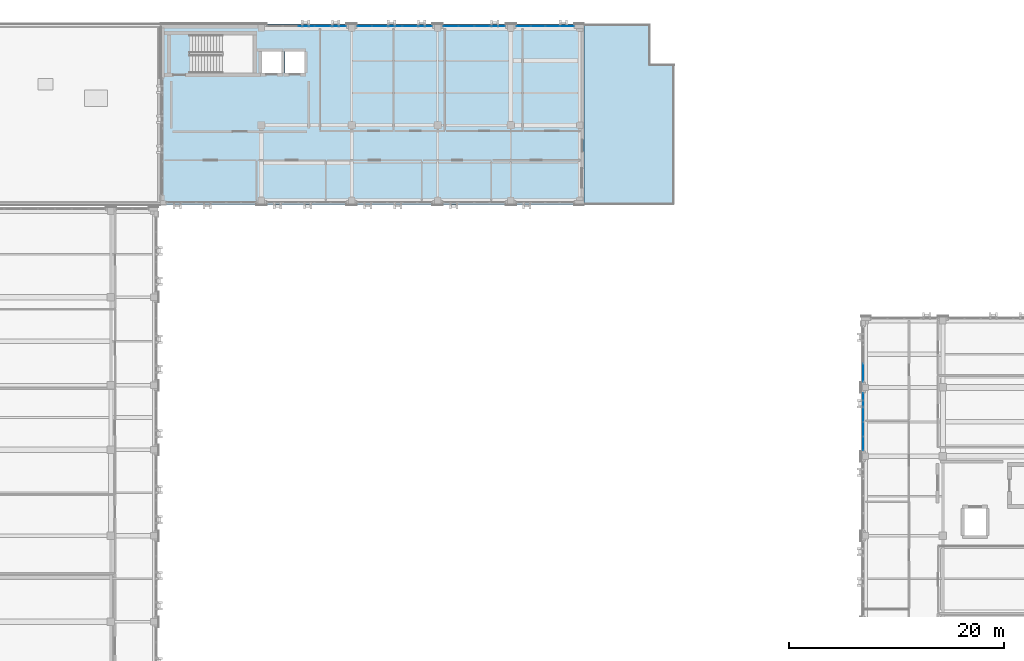
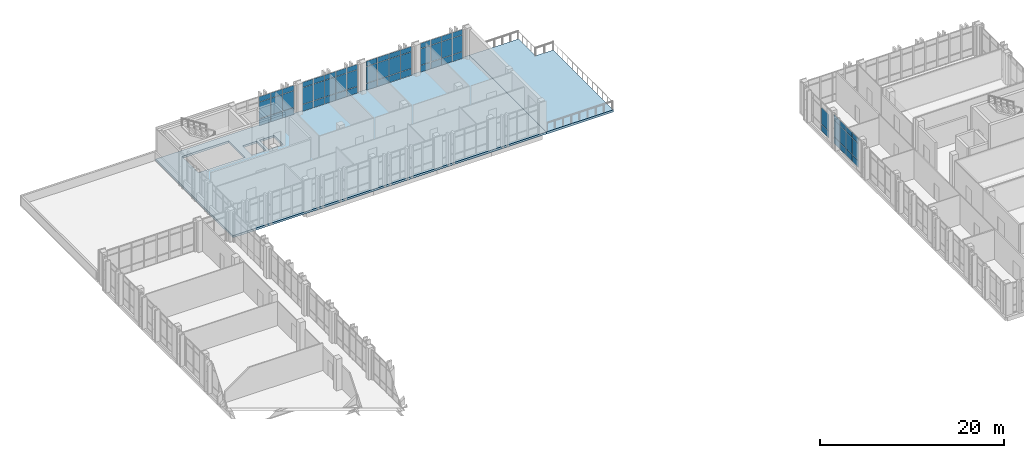
# One storey, part 65 of 90: 62 plates, 2 slabs, 6 elements without a shape of their own.
"""IFC4 building model written with IfcOpenShell, lengths in metres."""

import ifcopenshell
import ifcopenshell.guid

model = None  # the IFC model being written
_history = None  # IfcOwnerHistory: only IFC2X3 demands one
_inside = {}  # id of a spatial element -> (the spatial element, [elements in it])
_under = {}  # id of a project, library or spatial element -> (it, [spatial elements below it])
_declared = {}  # id of a project -> (the project, [libraries it declares])
_typed = {}  # id of a type object -> (the type object, [elements of that type])
_made_of = {}  # id of a material, layer set ... -> (it, [elements and type objects made of it])


def new_model(schema):
    """Start an empty IFC model of exactly this schema.

    Asked for "IFC4X3", IfcOpenShell would pick the latest addendum, in which some entities
    have other attributes; the version numbers below select the first issue.
    IFC2X3 requires an IfcOwnerHistory on every rooted entity: one is made here for all.
    """
    global model, _history
    if schema == "IFC4X3":
        model = ifcopenshell.file(schema_version=(4, 3, 0, 0))
    else:
        model = ifcopenshell.file(schema=schema)
    _inside.clear()
    _under.clear()
    _declared.clear()
    _typed.clear()
    _made_of.clear()
    _history = None
    if model.schema == "IFC2X3":
        org = make("IfcOrganization", Name="unknown")
        user = make(
            "IfcPersonAndOrganization",
            ThePerson=make("IfcPerson", FamilyName="unknown"),
            TheOrganization=org,
        )
        app = make(
            "IfcApplication",
            ApplicationDeveloper=org,
            Version="unknown",
            ApplicationFullName="unknown",
            ApplicationIdentifier="unknown",
        )
        _history = make(
            "IfcOwnerHistory",
            OwningUser=user,
            OwningApplication=app,
            ChangeAction="ADDED",
            CreationDate=0,
        )
    return model


def make(cls, **values):
    """One entity of the class cls with the attributes given. An attribute that is None is left unset."""
    return model.create_entity(
        cls, **{name: value for name, value in values.items() if value is not None}
    )


def rooted(cls, **values):
    """An entity with a GlobalId (a new one), such as an element, a storey or a relation."""
    return make(cls, GlobalId=ifcopenshell.guid.new(), OwnerHistory=_history, **values)


def si_unit(unit_type, name, prefix=None):
    """IfcSIUnit, for example si_unit("LENGTHUNIT", "METRE", prefix="MILLI")."""
    return make("IfcSIUnit", UnitType=unit_type, Prefix=prefix, Name=name)


def assignment(units):
    """IfcUnitAssignment: the units of a project."""
    return None if units is None else make("IfcUnitAssignment", Units=units)


def point(xyz):
    """IfcCartesianPoint."""
    return None if xyz is None else make("IfcCartesianPoint", Coordinates=xyz)


def direction(xyz):
    """IfcDirection."""
    return None if xyz is None else make("IfcDirection", DirectionRatios=xyz)


def frame(location, z_axis=None, x_axis=None):
    """IfcAxis2Placement3D, a coordinate frame: its origin and axes. An axis left out is left unset."""
    return make(
        "IfcAxis2Placement3D",
        Location=point(location),
        Axis=direction(z_axis),
        RefDirection=direction(x_axis),
    )


def frame_2d(location, x_axis=None):
    """IfcAxis2Placement2D, a coordinate frame in the plane: its origin and x axis."""
    return make(
        "IfcAxis2Placement2D", Location=point(location), RefDirection=direction(x_axis)
    )


def origin():
    """The frame at (0, 0, 0) with its axes left unset."""
    return frame((0.0, 0.0, 0.0))


def origin_2d():
    """The frame at (0, 0) in the plane with its x axis left unset."""
    return frame_2d((0.0, 0.0))


def place(relative_to, where):
    """IfcLocalPlacement: puts the frame where relative to a parent placement (None: the world)."""
    return make(
        "IfcLocalPlacement", PlacementRelTo=relative_to, RelativePlacement=where
    )


def context(
    kind, dimensions, precision=None, world=None, true_north=None, identifier=None
):
    """IfcGeometricRepresentationContext, for example the 3D "Model" context."""
    return make(
        "IfcGeometricRepresentationContext",
        ContextIdentifier=identifier,
        ContextType=kind,
        CoordinateSpaceDimension=dimensions,
        Precision=precision,
        WorldCoordinateSystem=world,
        TrueNorth=true_north,
    )


def subcontext(parent, identifier, kind, view, scale=None):
    """IfcGeometricRepresentationSubContext, for example "Body" below "Model"."""
    return make(
        "IfcGeometricRepresentationSubContext",
        ContextIdentifier=identifier,
        ContextType=kind,
        ParentContext=parent,
        TargetScale=scale,
        TargetView=view,
    )


def project(units=None, contexts=None):
    """IfcProject with its units and contexts."""
    return rooted(
        "IfcProject",
        Name="project",
        RepresentationContexts=contexts,
        UnitsInContext=assignment(units),
    )


def spatial(cls, under=None, at=None, **own):
    """A site, building, storey or space (cls), placed at a placement, below another one or the project."""
    s = rooted(cls, ObjectPlacement=at, **own)
    if under is not None:
        _under.setdefault(under.id(), (under, []))[1].append(s)
    return s


def polyline(points):
    """IfcPolyline through the points."""
    return make("IfcPolyline", Points=[point(p) for p in points])


def profile(cls, at=None, kind="AREA", **sizes):
    """A parametric profile (cls). Its sizes go by their IFC names, for example OverallWidth=200.0."""
    return make(cls, ProfileType=kind, Position=at, **sizes)


def rectangle(**sizes):
    """IfcRectangleProfileDef."""
    return profile("IfcRectangleProfileDef", **sizes)


def outline(outer, holes=None, kind="AREA"):
    """IfcArbitraryClosedProfileDef: a profile drawn as a closed curve; with holes, ...WithVoids."""
    if holes is None:
        return make("IfcArbitraryClosedProfileDef", ProfileType=kind, OuterCurve=outer)
    return make(
        "IfcArbitraryProfileDefWithVoids",
        ProfileType=kind,
        OuterCurve=outer,
        InnerCurves=holes,
    )


def extrude(swept, where, along, depth):
    """IfcExtrudedAreaSolid: the profile swept, set in the frame where, extruded along a direction by depth."""
    return make(
        "IfcExtrudedAreaSolid",
        SweptArea=swept,
        Position=where,
        ExtrudedDirection=direction(along),
        Depth=depth,
    )


def shape(context_of_items, identifier, shape_type, items):
    """IfcShapeRepresentation: the items that make up one representation, for example the "Body"."""
    return make(
        "IfcShapeRepresentation",
        ContextOfItems=context_of_items,
        RepresentationIdentifier=identifier,
        RepresentationType=shape_type,
        Items=items,
    )


def material(Name=None, Category=None):
    """IfcMaterial."""
    return make("IfcMaterial", Name=Name, Category=Category)


def layer(
    of_material, thickness, ventilated=None, Name=None, Category=None, Priority=None
):
    """IfcMaterialLayer: one layer of a wall or slab, of a material (None: an air gap)."""
    return make(
        "IfcMaterialLayer",
        Material=of_material,
        LayerThickness=thickness,
        IsVentilated=ventilated,
        Name=Name,
        Category=Category,
        Priority=Priority,
    )


def layer_set(layers, Name=None):
    """IfcMaterialLayerSet."""
    return make("IfcMaterialLayerSet", MaterialLayers=layers, LayerSetName=Name)


def made_of(thing, what):
    """Note that an element or type object is made of a material, layer set ...; save() writes the relation."""
    if what is not None:
        _made_of.setdefault(what.id(), (what, []))[1].append(thing)
    return thing


def type_object(cls, material=None, **own):
    """A type object (cls), such as IfcWallType, which elements share."""
    return made_of(rooted(cls, **own), material)


def element(
    cls,
    number,
    at=None,
    inside=None,
    cuts=None,
    type_object=None,
    material=None,
    context=None,
    identifier="Body",
    shape_type=None,
    held_by="IfcProductDefinitionShape",
    body=None,
    shapes=None,
    **own,
):
    """One element of the class cls, such as IfcWall. Its Tag is "e" and its number.

    at: its placement. inside: the storey or other place that contains it. cuts: it is an
    opening in that element (IfcRelVoidsElement). A single representation is given by context,
    identifier, shape_type and body (its items); several are given by shapes. held_by: the class
    of the entity that holds the representations. save() writes the other relations.
    """
    e = rooted(cls, Tag="e%d" % number, ObjectPlacement=at, **own)
    if body is not None:
        shapes = [shape(context, identifier, shape_type, body)]
    if shapes is not None:
        e.Representation = make(held_by, Representations=shapes)
    if inside is not None:
        _inside.setdefault(inside.id(), (inside, []))[1].append(e)
    if cuts is not None:
        rooted(
            "IfcRelVoidsElement", RelatingBuildingElement=cuts, RelatedOpeningElement=e
        )
    if type_object is not None:
        _typed.setdefault(type_object.id(), (type_object, []))[1].append(e)
    return made_of(e, material)


def aggregate(whole, parts):
    """IfcRelAggregates: a whole, such as a stair, and the parts it consists of."""
    return rooted("IfcRelAggregates", RelatingObject=whole, RelatedObjects=parts)


def save(model, path):
    """Write the relations noted so far, then the file.

    IfcRelAggregates (storeys below a building ...), IfcRelContainedInSpatialStructure (elements
    in a storey), IfcRelDefinesByType, IfcRelAssociatesMaterial and IfcRelDeclares: one each for
    every whole, place, type object, material and project.
    """
    for whole, parts in _under.values():
        aggregate(whole, parts)
    for where, things in _inside.values():
        rooted(
            "IfcRelContainedInSpatialStructure",
            RelatedElements=things,
            RelatingStructure=where,
        )
    for kind, things in _typed.values():
        rooted("IfcRelDefinesByType", RelatedObjects=things, RelatingType=kind)
    for what, things in _made_of.values():
        rooted("IfcRelAssociatesMaterial", RelatedObjects=things, RelatingMaterial=what)
    for by, libraries in _declared.values():
        rooted("IfcRelDeclares", RelatingContext=by, RelatedDefinitions=libraries)
    model.write(path)


model = new_model("IFC4")

# Units and contexts
model_context = context("Model", 3, precision=1e-05, world=origin(), true_north=direction((0.0, 1.0)))
body_context = subcontext(model_context, "Body", "Model", "MODEL_VIEW")
ifc_project = project(units=[si_unit("LENGTHUNIT", "METRE"), si_unit("AREAUNIT", "SQUARE_METRE"), si_unit("VOLUMEUNIT", "CUBIC_METRE"), si_unit("PLANEANGLEUNIT", "RADIAN"), si_unit("MASSUNIT", "GRAM", prefix="KILO")], contexts=[model_context])

# Site, building, storey
site_placement = place(None, origin())
site = spatial("IfcSite", under=ifc_project, at=site_placement, CompositionType="ELEMENT")
building_placement = place(site_placement, origin())
building = spatial("IfcBuilding", under=site, at=building_placement, Name="Qalavern Law Courts", CompositionType="ELEMENT")
storey_placement = place(building_placement, frame((0.0, 0.0, 22.800048828125)))
storey = spatial("IfcBuildingStorey", under=building, at=storey_placement, Name="L05", CompositionType="ELEMENT", Elevation=22.800048828125)

# Curtain wall, plates
ifc_material_1 = material(Name="Anodised aluminium and insulated glazing", Category="aluminium")
ifc_layer_1 = layer(ifc_material_1, 0.159912109375)
ifc_layer_set_1 = layer_set([ifc_layer_1], Name="Anodised aluminium and insulated glazing")
curtain_wall_type_1 = type_object("IfcCurtainWallType", Name="ENV-CW-CHAMB", PredefinedType="USERDEFINED", material=ifc_layer_set_1)
curtain_wall_1_placement = place(storey_placement, origin())
curtain_wall_1 = element("IfcCurtainWall", 1, at=curtain_wall_1_placement, inside=storey, type_object=curtain_wall_type_1, Name="V4 unitised curtain wall L05 west 1", ObjectType="UNITISED CURTAIN WALL", PredefinedType="USERDEFINED")
ifc_material_2 = material(Name="Insulated low-E acoustic glazing", Category="glass")
ifc_layer_2 = layer(ifc_material_2, 0.028076171875)
ifc_layer_set_2 = layer_set([ifc_layer_2], Name="Insulated low-E acoustic glazing")
plate_type_1 = type_object("IfcPlateType", Name="ENV-CWP-28", PredefinedType="CURTAIN_PANEL", material=ifc_layer_set_2)
plate_1_placement = place(storey_placement, frame((84.392578125, 80.57373046875, 0.048095703125), z_axis=(0.0, 0.0, 1.0), x_axis=(0.0, -1.0, 0.0)))
plate_1 = element("IfcPlate", 2, at=plate_1_placement, type_object=plate_type_1, Name="CW-04 panel 3.1", PredefinedType="CURTAIN_PANEL", context=body_context, shape_type="SweptSolid", body=[
    extrude(rectangle(XDim=1.6513671875, YDim=0.028076171875, at=origin_2d()), origin(), (0.0, 0.0, 1.0), 0.8779296875),
])
plate_2_placement = place(storey_placement, frame((84.392578125, 80.57373046875, 0.97412109375), z_axis=(0.0, 0.0, 1.0), x_axis=(0.0, -1.0, 0.0)))
plate_2 = element("IfcPlate", 3, at=plate_2_placement, type_object=plate_type_1, Name="CW-04 panel 3.2", PredefinedType="CURTAIN_PANEL", context=body_context, shape_type="SweptSolid", body=[
    extrude(rectangle(XDim=1.6513671875, YDim=0.028076171875, at=origin_2d()), origin(), (0.0, 0.0, 1.0), 2.181884765625),
])
aggregate(curtain_wall_1, [plate_1, plate_2])

ifc_layer_3 = layer(ifc_material_1, 0.166015625)
ifc_layer_set_3 = layer_set([ifc_layer_3], Name="Anodised aluminium and insulated glazing")
curtain_wall_type_2 = type_object("IfcCurtainWallType", Name="ENV-CW-LIB", PredefinedType="USERDEFINED", material=ifc_layer_set_3)
curtain_wall_2_placement = place(storey_placement, origin())
curtain_wall_2 = element("IfcCurtainWall", 4, at=curtain_wall_2_placement, inside=storey, type_object=curtain_wall_type_2, Name="V5 unitised curtain wall L05 north 1", ObjectType="UNITISED CURTAIN WALL", PredefinedType="USERDEFINED")
plate_3_placement = place(storey_placement, frame((56.81298828125, 112.8076171875, 0.048095703125), z_axis=(0.0, 0.0, 1.0), x_axis=(-1.0, 0.0, 0.0)))
plate_3 = element("IfcPlate", 5, at=plate_3_placement, type_object=plate_type_1, Name="CW-05 panel 1.1", PredefinedType="CURTAIN_PANEL", context=body_context, shape_type="SweptSolid", body=[
    extrude(rectangle(XDim=1.278076171875, YDim=0.028076171875, at=origin_2d()), origin(), (0.0, 0.0, 1.0), 0.8779296875),
])
plate_4_placement = place(storey_placement, frame((56.81298828125, 112.8076171875, 0.97412109375), z_axis=(0.0, 0.0, 1.0), x_axis=(-1.0, 0.0, 0.0)))
plate_4 = element("IfcPlate", 6, at=plate_4_placement, type_object=plate_type_1, Name="CW-05 panel 1.2", PredefinedType="CURTAIN_PANEL", context=body_context, shape_type="SweptSolid", body=[
    extrude(rectangle(XDim=1.278076171875, YDim=0.028076171875, at=origin_2d()), origin(), (0.0, 0.0, 1.0), 2.181884765625),
])
plate_5_placement = place(storey_placement, frame((56.81298828125, 112.8076171875, 3.2041015625), z_axis=(0.0, 0.0, 1.0), x_axis=(-1.0, 0.0, 0.0)))
plate_5 = element("IfcPlate", 7, at=plate_5_placement, type_object=plate_type_1, Name="CW-05 panel 1.3", PredefinedType="CURTAIN_PANEL", context=body_context, shape_type="SweptSolid", body=[
    extrude(rectangle(XDim=1.278076171875, YDim=0.028076171875, at=origin_2d()), origin(), (0.0, 0.0, 1.0), 0.677978515625),
])
plate_6_placement = place(storey_placement, frame((55.47509765625, 112.8076171875, 0.048095703125), z_axis=(0.0, 0.0, 1.0), x_axis=(-1.0, 0.0, 0.0)))
plate_6 = element("IfcPlate", 8, at=plate_6_placement, type_object=plate_type_1, Name="CW-05 panel 2.1", PredefinedType="CURTAIN_PANEL", context=body_context, shape_type="SweptSolid", body=[
    extrude(rectangle(XDim=1.302001953125, YDim=0.028076171875, at=origin_2d()), origin(), (0.0, 0.0, 1.0), 0.8779296875),
])
plate_7_placement = place(storey_placement, frame((55.47509765625, 112.8076171875, 0.97412109375), z_axis=(0.0, 0.0, 1.0), x_axis=(-1.0, 0.0, 0.0)))
plate_7 = element("IfcPlate", 9, at=plate_7_placement, type_object=plate_type_1, Name="CW-05 panel 2.2", PredefinedType="CURTAIN_PANEL", context=body_context, shape_type="SweptSolid", body=[
    extrude(rectangle(XDim=1.302001953125, YDim=0.028076171875, at=origin_2d()), origin(), (0.0, 0.0, 1.0), 2.181884765625),
])
plate_8_placement = place(storey_placement, frame((55.47509765625, 112.8076171875, 3.2041015625), z_axis=(0.0, 0.0, 1.0), x_axis=(-1.0, 0.0, 0.0)))
plate_8 = element("IfcPlate", 10, at=plate_8_placement, type_object=plate_type_1, Name="CW-05 panel 2.3", PredefinedType="CURTAIN_PANEL", context=body_context, shape_type="SweptSolid", body=[
    extrude(rectangle(XDim=1.302001953125, YDim=0.028076171875, at=origin_2d()), origin(), (0.0, 0.0, 1.0), 0.677978515625),
])
plate_9_placement = place(storey_placement, frame((54.125, 112.8076171875, 0.048095703125), z_axis=(0.0, 0.0, 1.0), x_axis=(-1.0, 0.0, 0.0)))
plate_9 = element("IfcPlate", 11, at=plate_9_placement, type_object=plate_type_1, Name="CW-05 panel 3.1", PredefinedType="CURTAIN_PANEL", context=body_context, shape_type="SweptSolid", body=[
    extrude(rectangle(XDim=1.302001953125, YDim=0.028076171875, at=origin_2d()), origin(), (0.0, 0.0, 1.0), 0.8779296875),
])
plate_10_placement = place(storey_placement, frame((54.125, 112.8076171875, 0.97412109375), z_axis=(0.0, 0.0, 1.0), x_axis=(-1.0, 0.0, 0.0)))
plate_10 = element("IfcPlate", 12, at=plate_10_placement, type_object=plate_type_1, Name="CW-05 panel 3.2", PredefinedType="CURTAIN_PANEL", context=body_context, shape_type="SweptSolid", body=[
    extrude(rectangle(XDim=1.302001953125, YDim=0.028076171875, at=origin_2d()), origin(), (0.0, 0.0, 1.0), 2.181884765625),
])
plate_11_placement = place(storey_placement, frame((54.125, 112.8076171875, 3.2041015625), z_axis=(0.0, 0.0, 1.0), x_axis=(-1.0, 0.0, 0.0)))
plate_11 = element("IfcPlate", 13, at=plate_11_placement, type_object=plate_type_1, Name="CW-05 panel 3.3", PredefinedType="CURTAIN_PANEL", context=body_context, shape_type="SweptSolid", body=[
    extrude(rectangle(XDim=1.302001953125, YDim=0.028076171875, at=origin_2d()), origin(), (0.0, 0.0, 1.0), 0.677978515625),
])
plate_12_placement = place(storey_placement, frame((52.787109375, 112.8076171875, 0.048095703125), z_axis=(0.0, 0.0, 1.0), x_axis=(-1.0, 0.0, 0.0)))
plate_12 = element("IfcPlate", 14, at=plate_12_placement, type_object=plate_type_1, Name="CW-05 panel 4.1", PredefinedType="CURTAIN_PANEL", context=body_context, shape_type="SweptSolid", body=[
    extrude(rectangle(XDim=1.278076171875, YDim=0.028076171875, at=origin_2d()), origin(), (0.0, 0.0, 1.0), 0.8779296875),
])
plate_13_placement = place(storey_placement, frame((52.787109375, 112.8076171875, 0.97412109375), z_axis=(0.0, 0.0, 1.0), x_axis=(-1.0, 0.0, 0.0)))
plate_13 = element("IfcPlate", 15, at=plate_13_placement, type_object=plate_type_1, Name="CW-05 panel 4.2", PredefinedType="CURTAIN_PANEL", context=body_context, shape_type="SweptSolid", body=[
    extrude(rectangle(XDim=1.278076171875, YDim=0.028076171875, at=origin_2d()), origin(), (0.0, 0.0, 1.0), 2.181884765625),
])
plate_14_placement = place(storey_placement, frame((52.787109375, 112.8076171875, 3.2041015625), z_axis=(0.0, 0.0, 1.0), x_axis=(-1.0, 0.0, 0.0)))
plate_14 = element("IfcPlate", 16, at=plate_14_placement, type_object=plate_type_1, Name="CW-05 panel 4.3", PredefinedType="CURTAIN_PANEL", context=body_context, shape_type="SweptSolid", body=[
    extrude(rectangle(XDim=1.278076171875, YDim=0.028076171875, at=origin_2d()), origin(), (0.0, 0.0, 1.0), 0.677978515625),
])
aggregate(curtain_wall_2, [plate_3, plate_4, plate_5, plate_6, plate_7, plate_8, plate_9, plate_10, plate_11, plate_12, plate_13, plate_14])

curtain_wall_3_placement = place(storey_placement, origin())
curtain_wall_3 = element("IfcCurtainWall", 17, at=curtain_wall_3_placement, inside=storey, type_object=curtain_wall_type_1, Name="V4 unitised curtain wall L05 west 2", ObjectType="UNITISED CURTAIN WALL", PredefinedType="USERDEFINED")
ifc_layer_4 = layer(ifc_material_2, 0.031982421875)
ifc_layer_set_4 = layer_set([ifc_layer_4], Name="Insulated low-E acoustic glazing")
plate_type_2 = type_object("IfcPlateType", Name="ENV-CWP-32", PredefinedType="CURTAIN_PANEL", material=ifc_layer_set_4)
plate_15_placement = place(storey_placement, frame((84.392578125, 78.012939453125, 0.048095703125), z_axis=(0.0, 0.0, 1.0), x_axis=(0.0, -1.0, 0.0)))
plate_15 = element("IfcPlate", 18, at=plate_15_placement, type_object=plate_type_2, Name="CW-04 panel 1.1", PredefinedType="CURTAIN_PANEL", context=body_context, shape_type="SweptSolid", body=[
    extrude(rectangle(XDim=1.278076171875, YDim=0.031982421875, at=origin_2d()), origin(), (0.0, 0.0, 1.0), 0.8779296875),
])
plate_16_placement = place(storey_placement, frame((84.392578125, 78.012939453125, 0.97412109375), z_axis=(0.0, 0.0, 1.0), x_axis=(0.0, -1.0, 0.0)))
plate_16 = element("IfcPlate", 19, at=plate_16_placement, type_object=plate_type_2, Name="CW-04 panel 1.2", PredefinedType="CURTAIN_PANEL", context=body_context, shape_type="SweptSolid", body=[
    extrude(rectangle(XDim=1.278076171875, YDim=0.031982421875, at=origin_2d()), origin(), (0.0, 0.0, 1.0), 2.181884765625),
])
plate_17_placement = place(storey_placement, frame((84.392578125, 78.012939453125, 3.2041015625), z_axis=(0.0, 0.0, 1.0), x_axis=(0.0, -1.0, 0.0)))
plate_17 = element("IfcPlate", 20, at=plate_17_placement, type_object=plate_type_2, Name="CW-04 panel 1.3", PredefinedType="CURTAIN_PANEL", context=body_context, shape_type="SweptSolid", body=[
    extrude(rectangle(XDim=1.278076171875, YDim=0.031982421875, at=origin_2d()), origin(), (0.0, 0.0, 1.0), 0.677978515625),
])
plate_18_placement = place(storey_placement, frame((84.392578125, 76.675048828125, 0.048095703125), z_axis=(0.0, 0.0, 1.0), x_axis=(0.0, -1.0, 0.0)))
plate_18 = element("IfcPlate", 21, at=plate_18_placement, type_object=plate_type_2, Name="CW-04 panel 2.1", PredefinedType="CURTAIN_PANEL", context=body_context, shape_type="SweptSolid", body=[
    extrude(rectangle(XDim=1.302001953125, YDim=0.031982421875, at=origin_2d()), origin(), (0.0, 0.0, 1.0), 0.8779296875),
])
plate_19_placement = place(storey_placement, frame((84.392578125, 76.675048828125, 0.97412109375), z_axis=(0.0, 0.0, 1.0), x_axis=(0.0, -1.0, 0.0)))
plate_19 = element("IfcPlate", 22, at=plate_19_placement, type_object=plate_type_2, Name="CW-04 panel 2.2", PredefinedType="CURTAIN_PANEL", context=body_context, shape_type="SweptSolid", body=[
    extrude(rectangle(XDim=1.302001953125, YDim=0.031982421875, at=origin_2d()), origin(), (0.0, 0.0, 1.0), 2.181884765625),
])
plate_20_placement = place(storey_placement, frame((84.392578125, 76.675048828125, 3.2041015625), z_axis=(0.0, 0.0, 1.0), x_axis=(0.0, -1.0, 0.0)))
plate_20 = element("IfcPlate", 23, at=plate_20_placement, type_object=plate_type_2, Name="CW-04 panel 2.3", PredefinedType="CURTAIN_PANEL", context=body_context, shape_type="SweptSolid", body=[
    extrude(rectangle(XDim=1.302001953125, YDim=0.031982421875, at=origin_2d()), origin(), (0.0, 0.0, 1.0), 0.677978515625),
])
plate_21_placement = place(storey_placement, frame((84.392578125, 75.324951171875, 0.048095703125), z_axis=(0.0, 0.0, 1.0), x_axis=(0.0, -1.0, 0.0)))
plate_21 = element("IfcPlate", 24, at=plate_21_placement, type_object=plate_type_2, Name="CW-04 panel 3.1", PredefinedType="CURTAIN_PANEL", context=body_context, shape_type="SweptSolid", body=[
    extrude(rectangle(XDim=1.302001953125, YDim=0.031982421875, at=origin_2d()), origin(), (0.0, 0.0, 1.0), 0.8779296875),
])
plate_22_placement = place(storey_placement, frame((84.392578125, 75.324951171875, 0.97412109375), z_axis=(0.0, 0.0, 1.0), x_axis=(0.0, -1.0, 0.0)))
plate_22 = element("IfcPlate", 25, at=plate_22_placement, type_object=plate_type_2, Name="CW-04 panel 3.2", PredefinedType="CURTAIN_PANEL", context=body_context, shape_type="SweptSolid", body=[
    extrude(rectangle(XDim=1.302001953125, YDim=0.031982421875, at=origin_2d()), origin(), (0.0, 0.0, 1.0), 2.181884765625),
])
plate_23_placement = place(storey_placement, frame((84.392578125, 75.324951171875, 3.2041015625), z_axis=(0.0, 0.0, 1.0), x_axis=(0.0, -1.0, 0.0)))
plate_23 = element("IfcPlate", 26, at=plate_23_placement, type_object=plate_type_2, Name="CW-04 panel 3.3", PredefinedType="CURTAIN_PANEL", context=body_context, shape_type="SweptSolid", body=[
    extrude(rectangle(XDim=1.302001953125, YDim=0.031982421875, at=origin_2d()), origin(), (0.0, 0.0, 1.0), 0.677978515625),
])
plate_24_placement = place(storey_placement, frame((84.392578125, 73.987060546875, 0.048095703125), z_axis=(0.0, 0.0, 1.0), x_axis=(0.0, -1.0, 0.0)))
plate_24 = element("IfcPlate", 27, at=plate_24_placement, type_object=plate_type_2, Name="CW-04 panel 4.1", PredefinedType="CURTAIN_PANEL", context=body_context, shape_type="SweptSolid", body=[
    extrude(rectangle(XDim=1.278076171875, YDim=0.031982421875, at=origin_2d()), origin(), (0.0, 0.0, 1.0), 0.8779296875),
])
plate_25_placement = place(storey_placement, frame((84.392578125, 73.987060546875, 0.97412109375), z_axis=(0.0, 0.0, 1.0), x_axis=(0.0, -1.0, 0.0)))
plate_25 = element("IfcPlate", 28, at=plate_25_placement, type_object=plate_type_2, Name="CW-04 panel 4.2", PredefinedType="CURTAIN_PANEL", context=body_context, shape_type="SweptSolid", body=[
    extrude(rectangle(XDim=1.278076171875, YDim=0.031982421875, at=origin_2d()), origin(), (0.0, 0.0, 1.0), 2.181884765625),
])
plate_26_placement = place(storey_placement, frame((84.392578125, 73.987060546875, 3.2041015625), z_axis=(0.0, 0.0, 1.0), x_axis=(0.0, -1.0, 0.0)))
plate_26 = element("IfcPlate", 29, at=plate_26_placement, type_object=plate_type_2, Name="CW-04 panel 4.3", PredefinedType="CURTAIN_PANEL", context=body_context, shape_type="SweptSolid", body=[
    extrude(rectangle(XDim=1.278076171875, YDim=0.031982421875, at=origin_2d()), origin(), (0.0, 0.0, 1.0), 0.677978515625),
])
aggregate(curtain_wall_3, [plate_15, plate_16, plate_17, plate_18, plate_19, plate_20, plate_21, plate_22, plate_23, plate_24, plate_25, plate_26])

curtain_wall_4_placement = place(storey_placement, origin())
curtain_wall_4 = element("IfcCurtainWall", 30, at=curtain_wall_4_placement, inside=storey, type_object=curtain_wall_type_2, Name="V5 unitised curtain wall L05 north 2", ObjectType="UNITISED CURTAIN WALL", PredefinedType="USERDEFINED")
plate_27_placement = place(storey_placement, frame((50.363037109375, 112.8076171875, 0.048095703125), z_axis=(0.0, 0.0, 1.0), x_axis=(-1.0, 0.0, 0.0)))
plate_27 = element("IfcPlate", 31, at=plate_27_placement, type_object=plate_type_2, Name="CW-05 panel 1.1", PredefinedType="CURTAIN_PANEL", context=body_context, shape_type="SweptSolid", body=[
    extrude(rectangle(XDim=1.3779296875, YDim=0.031982421875, at=origin_2d()), origin(), (0.0, 0.0, 1.0), 0.8779296875),
])
plate_28_placement = place(storey_placement, frame((50.363037109375, 112.8076171875, 0.97412109375), z_axis=(0.0, 0.0, 1.0), x_axis=(-1.0, 0.0, 0.0)))
plate_28 = element("IfcPlate", 32, at=plate_28_placement, type_object=plate_type_2, Name="CW-05 panel 1.2", PredefinedType="CURTAIN_PANEL", context=body_context, shape_type="SweptSolid", body=[
    extrude(rectangle(XDim=1.3779296875, YDim=0.031982421875, at=origin_2d()), origin(), (0.0, 0.0, 1.0), 2.181884765625),
])
plate_29_placement = place(storey_placement, frame((50.363037109375, 112.8076171875, 3.2041015625), z_axis=(0.0, 0.0, 1.0), x_axis=(-1.0, 0.0, 0.0)))
plate_29 = element("IfcPlate", 33, at=plate_29_placement, type_object=plate_type_2, Name="CW-05 panel 1.3", PredefinedType="CURTAIN_PANEL", context=body_context, shape_type="SweptSolid", body=[
    extrude(rectangle(XDim=1.3779296875, YDim=0.031982421875, at=origin_2d()), origin(), (0.0, 0.0, 1.0), 0.677978515625),
])
plate_30_placement = place(storey_placement, frame((48.925048828125, 112.8076171875, 0.048095703125), z_axis=(0.0, 0.0, 1.0), x_axis=(-1.0, 0.0, 0.0)))
plate_30 = element("IfcPlate", 34, at=plate_30_placement, type_object=plate_type_2, Name="CW-05 panel 2.1", PredefinedType="CURTAIN_PANEL", context=body_context, shape_type="SweptSolid", body=[
    extrude(rectangle(XDim=1.402099609375, YDim=0.031982421875, at=origin_2d()), origin(), (0.0, 0.0, 1.0), 0.8779296875),
])
plate_31_placement = place(storey_placement, frame((48.925048828125, 112.8076171875, 0.97412109375), z_axis=(0.0, 0.0, 1.0), x_axis=(-1.0, 0.0, 0.0)))
plate_31 = element("IfcPlate", 35, at=plate_31_placement, type_object=plate_type_2, Name="CW-05 panel 2.2", PredefinedType="CURTAIN_PANEL", context=body_context, shape_type="SweptSolid", body=[
    extrude(rectangle(XDim=1.402099609375, YDim=0.031982421875, at=origin_2d()), origin(), (0.0, 0.0, 1.0), 2.181884765625),
])
plate_32_placement = place(storey_placement, frame((48.925048828125, 112.8076171875, 3.2041015625), z_axis=(0.0, 0.0, 1.0), x_axis=(-1.0, 0.0, 0.0)))
plate_32 = element("IfcPlate", 36, at=plate_32_placement, type_object=plate_type_2, Name="CW-05 panel 2.3", PredefinedType="CURTAIN_PANEL", context=body_context, shape_type="SweptSolid", body=[
    extrude(rectangle(XDim=1.402099609375, YDim=0.031982421875, at=origin_2d()), origin(), (0.0, 0.0, 1.0), 0.677978515625),
])
plate_33_placement = place(storey_placement, frame((47.47509765625, 112.8076171875, 0.048095703125), z_axis=(0.0, 0.0, 1.0), x_axis=(-1.0, 0.0, 0.0)))
plate_33 = element("IfcPlate", 37, at=plate_33_placement, type_object=plate_type_2, Name="CW-05 panel 3.1", PredefinedType="CURTAIN_PANEL", context=body_context, shape_type="SweptSolid", body=[
    extrude(rectangle(XDim=1.402099609375, YDim=0.031982421875, at=origin_2d()), origin(), (0.0, 0.0, 1.0), 0.8779296875),
])
plate_34_placement = place(storey_placement, frame((47.47509765625, 112.8076171875, 0.97412109375), z_axis=(0.0, 0.0, 1.0), x_axis=(-1.0, 0.0, 0.0)))
plate_34 = element("IfcPlate", 38, at=plate_34_placement, type_object=plate_type_2, Name="CW-05 panel 3.2", PredefinedType="CURTAIN_PANEL", context=body_context, shape_type="SweptSolid", body=[
    extrude(rectangle(XDim=1.402099609375, YDim=0.031982421875, at=origin_2d()), origin(), (0.0, 0.0, 1.0), 2.181884765625),
])
plate_35_placement = place(storey_placement, frame((47.47509765625, 112.8076171875, 3.2041015625), z_axis=(0.0, 0.0, 1.0), x_axis=(-1.0, 0.0, 0.0)))
plate_35 = element("IfcPlate", 39, at=plate_35_placement, type_object=plate_type_2, Name="CW-05 panel 3.3", PredefinedType="CURTAIN_PANEL", context=body_context, shape_type="SweptSolid", body=[
    extrude(rectangle(XDim=1.402099609375, YDim=0.031982421875, at=origin_2d()), origin(), (0.0, 0.0, 1.0), 0.677978515625),
])
plate_36_placement = place(storey_placement, frame((46.037109375, 112.8076171875, 0.048095703125), z_axis=(0.0, 0.0, 1.0), x_axis=(-1.0, 0.0, 0.0)))
plate_36 = element("IfcPlate", 40, at=plate_36_placement, type_object=plate_type_2, Name="CW-05 panel 4.1", PredefinedType="CURTAIN_PANEL", context=body_context, shape_type="SweptSolid", body=[
    extrude(rectangle(XDim=1.3779296875, YDim=0.031982421875, at=origin_2d()), origin(), (0.0, 0.0, 1.0), 0.8779296875),
])
plate_37_placement = place(storey_placement, frame((46.037109375, 112.8076171875, 0.97412109375), z_axis=(0.0, 0.0, 1.0), x_axis=(-1.0, 0.0, 0.0)))
plate_37 = element("IfcPlate", 41, at=plate_37_placement, type_object=plate_type_2, Name="CW-05 panel 4.2", PredefinedType="CURTAIN_PANEL", context=body_context, shape_type="SweptSolid", body=[
    extrude(rectangle(XDim=1.3779296875, YDim=0.031982421875, at=origin_2d()), origin(), (0.0, 0.0, 1.0), 2.181884765625),
])
plate_38_placement = place(storey_placement, frame((46.037109375, 112.8076171875, 3.2041015625), z_axis=(0.0, 0.0, 1.0), x_axis=(-1.0, 0.0, 0.0)))
plate_38 = element("IfcPlate", 42, at=plate_38_placement, type_object=plate_type_2, Name="CW-05 panel 4.3", PredefinedType="CURTAIN_PANEL", context=body_context, shape_type="SweptSolid", body=[
    extrude(rectangle(XDim=1.3779296875, YDim=0.031982421875, at=origin_2d()), origin(), (0.0, 0.0, 1.0), 0.677978515625),
])
aggregate(curtain_wall_4, [plate_27, plate_28, plate_29, plate_30, plate_31, plate_32, plate_33, plate_34, plate_35, plate_36, plate_37, plate_38])

curtain_wall_5_placement = place(storey_placement, origin())
curtain_wall_5 = element("IfcCurtainWall", 43, at=curtain_wall_5_placement, inside=storey, type_object=curtain_wall_type_2, Name="V5 unitised curtain wall L05 north 3", ObjectType="UNITISED CURTAIN WALL", PredefinedType="USERDEFINED")
ifc_layer_5 = layer(ifc_material_2, 0.035888671875)
ifc_layer_set_5 = layer_set([ifc_layer_5], Name="Insulated low-E acoustic glazing")
plate_type_3 = type_object("IfcPlateType", Name="ENV-CWP-36", PredefinedType="CURTAIN_PANEL", material=ifc_layer_set_5)
plate_39_placement = place(storey_placement, frame((43.587890625, 112.8076171875, 0.048095703125), z_axis=(0.0, 0.0, 1.0), x_axis=(-1.0, 0.0, 0.0)))
plate_39 = element("IfcPlate", 44, at=plate_39_placement, type_object=plate_type_3, Name="CW-05 panel 1.1", PredefinedType="CURTAIN_PANEL", context=body_context, shape_type="SweptSolid", body=[
    extrude(rectangle(XDim=1.327880859375, YDim=0.035888671875, at=origin_2d()), origin(), (0.0, 0.0, 1.0), 0.8779296875),
])
plate_40_placement = place(storey_placement, frame((43.587890625, 112.8076171875, 0.97412109375), z_axis=(0.0, 0.0, 1.0), x_axis=(-1.0, 0.0, 0.0)))
plate_40 = element("IfcPlate", 45, at=plate_40_placement, type_object=plate_type_3, Name="CW-05 panel 1.2", PredefinedType="CURTAIN_PANEL", context=body_context, shape_type="SweptSolid", body=[
    extrude(rectangle(XDim=1.327880859375, YDim=0.035888671875, at=origin_2d()), origin(), (0.0, 0.0, 1.0), 2.181884765625),
])
plate_41_placement = place(storey_placement, frame((43.587890625, 112.8076171875, 3.2041015625), z_axis=(0.0, 0.0, 1.0), x_axis=(-1.0, 0.0, 0.0)))
plate_41 = element("IfcPlate", 46, at=plate_41_placement, type_object=plate_type_3, Name="CW-05 panel 1.3", PredefinedType="CURTAIN_PANEL", context=body_context, shape_type="SweptSolid", body=[
    extrude(rectangle(XDim=1.327880859375, YDim=0.035888671875, at=origin_2d()), origin(), (0.0, 0.0, 1.0), 0.677978515625),
])
plate_42_placement = place(storey_placement, frame((42.199951171875, 112.8076171875, 0.048095703125), z_axis=(0.0, 0.0, 1.0), x_axis=(-1.0, 0.0, 0.0)))
plate_42 = element("IfcPlate", 47, at=plate_42_placement, type_object=plate_type_3, Name="CW-05 panel 2.1", PredefinedType="CURTAIN_PANEL", context=body_context, shape_type="SweptSolid", body=[
    extrude(rectangle(XDim=1.35205078125, YDim=0.035888671875, at=origin_2d()), origin(), (0.0, 0.0, 1.0), 0.8779296875),
])
plate_43_placement = place(storey_placement, frame((42.199951171875, 112.8076171875, 0.97412109375), z_axis=(0.0, 0.0, 1.0), x_axis=(-1.0, 0.0, 0.0)))
plate_43 = element("IfcPlate", 48, at=plate_43_placement, type_object=plate_type_3, Name="CW-05 panel 2.2", PredefinedType="CURTAIN_PANEL", context=body_context, shape_type="SweptSolid", body=[
    extrude(rectangle(XDim=1.35205078125, YDim=0.035888671875, at=origin_2d()), origin(), (0.0, 0.0, 1.0), 2.181884765625),
])
plate_44_placement = place(storey_placement, frame((42.199951171875, 112.8076171875, 3.2041015625), z_axis=(0.0, 0.0, 1.0), x_axis=(-1.0, 0.0, 0.0)))
plate_44 = element("IfcPlate", 49, at=plate_44_placement, type_object=plate_type_3, Name="CW-05 panel 2.3", PredefinedType="CURTAIN_PANEL", context=body_context, shape_type="SweptSolid", body=[
    extrude(rectangle(XDim=1.35205078125, YDim=0.035888671875, at=origin_2d()), origin(), (0.0, 0.0, 1.0), 0.677978515625),
])
plate_45_placement = place(storey_placement, frame((40.800048828125, 112.8076171875, 0.048095703125), z_axis=(0.0, 0.0, 1.0), x_axis=(-1.0, 0.0, 0.0)))
plate_45 = element("IfcPlate", 50, at=plate_45_placement, type_object=plate_type_3, Name="CW-05 panel 3.1", PredefinedType="CURTAIN_PANEL", context=body_context, shape_type="SweptSolid", body=[
    extrude(rectangle(XDim=1.35205078125, YDim=0.035888671875, at=origin_2d()), origin(), (0.0, 0.0, 1.0), 0.8779296875),
])
plate_46_placement = place(storey_placement, frame((40.800048828125, 112.8076171875, 0.97412109375), z_axis=(0.0, 0.0, 1.0), x_axis=(-1.0, 0.0, 0.0)))
plate_46 = element("IfcPlate", 51, at=plate_46_placement, type_object=plate_type_3, Name="CW-05 panel 3.2", PredefinedType="CURTAIN_PANEL", context=body_context, shape_type="SweptSolid", body=[
    extrude(rectangle(XDim=1.35205078125, YDim=0.035888671875, at=origin_2d()), origin(), (0.0, 0.0, 1.0), 2.181884765625),
])
plate_47_placement = place(storey_placement, frame((40.800048828125, 112.8076171875, 3.2041015625), z_axis=(0.0, 0.0, 1.0), x_axis=(-1.0, 0.0, 0.0)))
plate_47 = element("IfcPlate", 52, at=plate_47_placement, type_object=plate_type_3, Name="CW-05 panel 3.3", PredefinedType="CURTAIN_PANEL", context=body_context, shape_type="SweptSolid", body=[
    extrude(rectangle(XDim=1.35205078125, YDim=0.035888671875, at=origin_2d()), origin(), (0.0, 0.0, 1.0), 0.677978515625),
])
plate_48_placement = place(storey_placement, frame((39.39990234375, 112.8076171875, 0.048095703125), z_axis=(0.0, 0.0, 1.0), x_axis=(-1.0, 0.0, 0.0)))
plate_48 = element("IfcPlate", 53, at=plate_48_placement, type_object=plate_type_3, Name="CW-05 panel 4.1", PredefinedType="CURTAIN_PANEL", context=body_context, shape_type="SweptSolid", body=[
    extrude(rectangle(XDim=1.35205078125, YDim=0.035888671875, at=origin_2d()), origin(), (0.0, 0.0, 1.0), 0.8779296875),
])
plate_49_placement = place(storey_placement, frame((39.39990234375, 112.8076171875, 0.97412109375), z_axis=(0.0, 0.0, 1.0), x_axis=(-1.0, 0.0, 0.0)))
plate_49 = element("IfcPlate", 54, at=plate_49_placement, type_object=plate_type_3, Name="CW-05 panel 4.2", PredefinedType="CURTAIN_PANEL", context=body_context, shape_type="SweptSolid", body=[
    extrude(rectangle(XDim=1.35205078125, YDim=0.035888671875, at=origin_2d()), origin(), (0.0, 0.0, 1.0), 2.181884765625),
])
plate_50_placement = place(storey_placement, frame((39.39990234375, 112.8076171875, 3.2041015625), z_axis=(0.0, 0.0, 1.0), x_axis=(-1.0, 0.0, 0.0)))
plate_50 = element("IfcPlate", 55, at=plate_50_placement, type_object=plate_type_3, Name="CW-05 panel 4.3", PredefinedType="CURTAIN_PANEL", context=body_context, shape_type="SweptSolid", body=[
    extrude(rectangle(XDim=1.35205078125, YDim=0.035888671875, at=origin_2d()), origin(), (0.0, 0.0, 1.0), 0.677978515625),
])
plate_51_placement = place(storey_placement, frame((38.011962890625, 112.8076171875, 0.048095703125), z_axis=(0.0, 0.0, 1.0), x_axis=(-1.0, 0.0, 0.0)))
plate_51 = element("IfcPlate", 56, at=plate_51_placement, type_object=plate_type_3, Name="CW-05 panel 5.1", PredefinedType="CURTAIN_PANEL", context=body_context, shape_type="SweptSolid", body=[
    extrude(rectangle(XDim=1.327880859375, YDim=0.035888671875, at=origin_2d()), origin(), (0.0, 0.0, 1.0), 0.8779296875),
])
plate_52_placement = place(storey_placement, frame((38.011962890625, 112.8076171875, 0.97412109375), z_axis=(0.0, 0.0, 1.0), x_axis=(-1.0, 0.0, 0.0)))
plate_52 = element("IfcPlate", 57, at=plate_52_placement, type_object=plate_type_3, Name="CW-05 panel 5.2", PredefinedType="CURTAIN_PANEL", context=body_context, shape_type="SweptSolid", body=[
    extrude(rectangle(XDim=1.327880859375, YDim=0.035888671875, at=origin_2d()), origin(), (0.0, 0.0, 1.0), 2.181884765625),
])
plate_53_placement = place(storey_placement, frame((38.011962890625, 112.8076171875, 3.2041015625), z_axis=(0.0, 0.0, 1.0), x_axis=(-1.0, 0.0, 0.0)))
plate_53 = element("IfcPlate", 58, at=plate_53_placement, type_object=plate_type_3, Name="CW-05 panel 5.3", PredefinedType="CURTAIN_PANEL", context=body_context, shape_type="SweptSolid", body=[
    extrude(rectangle(XDim=1.327880859375, YDim=0.035888671875, at=origin_2d()), origin(), (0.0, 0.0, 1.0), 0.677978515625),
])
aggregate(curtain_wall_5, [plate_39, plate_40, plate_41, plate_42, plate_43, plate_44, plate_45, plate_46, plate_47, plate_48, plate_49, plate_50, plate_51, plate_52, plate_53])

curtain_wall_6_placement = place(storey_placement, origin())
curtain_wall_6 = element("IfcCurtainWall", 59, at=curtain_wall_6_placement, inside=storey, type_object=curtain_wall_type_2, Name="V5 unitised curtain wall L05 north 4", ObjectType="UNITISED CURTAIN WALL", PredefinedType="USERDEFINED")
ifc_layer_6 = layer(ifc_material_2, 0.0400390625)
ifc_layer_set_6 = layer_set([ifc_layer_6], Name="Insulated low-E acoustic glazing")
plate_type_4 = type_object("IfcPlateType", Name="ENV-CWP-40", PredefinedType="CURTAIN_PANEL", material=ifc_layer_set_6)
plate_54_placement = place(storey_placement, frame((35.548095703125, 112.8076171875, 0.048095703125), z_axis=(0.0, 0.0, 1.0), x_axis=(-1.0, 0.0, 0.0)))
plate_54 = element("IfcPlate", 60, at=plate_54_placement, type_object=plate_type_4, Name="CW-05 panel 1.1", PredefinedType="CURTAIN_PANEL", context=body_context, shape_type="SweptSolid", body=[
    extrude(rectangle(XDim=1.407958984375, YDim=0.0400390625, at=origin_2d()), origin(), (0.0, 0.0, 1.0), 0.8779296875),
])
plate_55_placement = place(storey_placement, frame((35.548095703125, 112.8076171875, 0.97412109375), z_axis=(0.0, 0.0, 1.0), x_axis=(-1.0, 0.0, 0.0)))
plate_55 = element("IfcPlate", 61, at=plate_55_placement, type_object=plate_type_4, Name="CW-05 panel 1.2", PredefinedType="CURTAIN_PANEL", context=body_context, shape_type="SweptSolid", body=[
    extrude(rectangle(XDim=1.407958984375, YDim=0.0400390625, at=origin_2d()), origin(), (0.0, 0.0, 1.0), 2.181884765625),
])
plate_56_placement = place(storey_placement, frame((35.548095703125, 112.8076171875, 3.2041015625), z_axis=(0.0, 0.0, 1.0), x_axis=(-1.0, 0.0, 0.0)))
plate_56 = element("IfcPlate", 62, at=plate_56_placement, type_object=plate_type_4, Name="CW-05 panel 1.3", PredefinedType="CURTAIN_PANEL", context=body_context, shape_type="SweptSolid", body=[
    extrude(rectangle(XDim=1.407958984375, YDim=0.0400390625, at=origin_2d()), origin(), (0.0, 0.0, 1.0), 0.677978515625),
])
plate_57_placement = place(storey_placement, frame((34.080078125, 112.8076171875, 0.048095703125), z_axis=(0.0, 0.0, 1.0), x_axis=(-1.0, 0.0, 0.0)))
plate_57 = element("IfcPlate", 63, at=plate_57_placement, type_object=plate_type_4, Name="CW-05 panel 2.1", PredefinedType="CURTAIN_PANEL", context=body_context, shape_type="SweptSolid", body=[
    extrude(rectangle(XDim=1.431884765625, YDim=0.0400390625, at=origin_2d()), origin(), (0.0, 0.0, 1.0), 0.8779296875),
])
plate_58_placement = place(storey_placement, frame((34.080078125, 112.8076171875, 0.97412109375), z_axis=(0.0, 0.0, 1.0), x_axis=(-1.0, 0.0, 0.0)))
plate_58 = element("IfcPlate", 64, at=plate_58_placement, type_object=plate_type_4, Name="CW-05 panel 2.2", PredefinedType="CURTAIN_PANEL", context=body_context, shape_type="SweptSolid", body=[
    extrude(rectangle(XDim=1.431884765625, YDim=0.0400390625, at=origin_2d()), origin(), (0.0, 0.0, 1.0), 2.181884765625),
])
plate_59_placement = place(storey_placement, frame((34.080078125, 112.8076171875, 3.2041015625), z_axis=(0.0, 0.0, 1.0), x_axis=(-1.0, 0.0, 0.0)))
plate_59 = element("IfcPlate", 65, at=plate_59_placement, type_object=plate_type_4, Name="CW-05 panel 2.3", PredefinedType="CURTAIN_PANEL", context=body_context, shape_type="SweptSolid", body=[
    extrude(rectangle(XDim=1.431884765625, YDim=0.0400390625, at=origin_2d()), origin(), (0.0, 0.0, 1.0), 0.677978515625),
])
plate_60_placement = place(storey_placement, frame((32.60009765625, 112.8076171875, 0.048095703125), z_axis=(0.0, 0.0, 1.0), x_axis=(-1.0, 0.0, 0.0)))
plate_60 = element("IfcPlate", 66, at=plate_60_placement, type_object=plate_type_4, Name="CW-05 panel 3.1", PredefinedType="CURTAIN_PANEL", context=body_context, shape_type="SweptSolid", body=[
    extrude(rectangle(XDim=1.431884765625, YDim=0.0400390625, at=origin_2d()), origin(), (0.0, 0.0, 1.0), 0.8779296875),
])
plate_61_placement = place(storey_placement, frame((32.60009765625, 112.8076171875, 0.97412109375), z_axis=(0.0, 0.0, 1.0), x_axis=(-1.0, 0.0, 0.0)))
plate_61 = element("IfcPlate", 67, at=plate_61_placement, type_object=plate_type_4, Name="CW-05 panel 3.2", PredefinedType="CURTAIN_PANEL", context=body_context, shape_type="SweptSolid", body=[
    extrude(rectangle(XDim=1.431884765625, YDim=0.0400390625, at=origin_2d()), origin(), (0.0, 0.0, 1.0), 2.181884765625),
])
plate_62_placement = place(storey_placement, frame((32.60009765625, 112.8076171875, 3.2041015625), z_axis=(0.0, 0.0, 1.0), x_axis=(-1.0, 0.0, 0.0)))
plate_62 = element("IfcPlate", 68, at=plate_62_placement, type_object=plate_type_4, Name="CW-05 panel 3.3", PredefinedType="CURTAIN_PANEL", context=body_context, shape_type="SweptSolid", body=[
    extrude(rectangle(XDim=1.431884765625, YDim=0.0400390625, at=origin_2d()), origin(), (0.0, 0.0, 1.0), 0.677978515625),
])
aggregate(curtain_wall_6, [plate_54, plate_55, plate_56, plate_57, plate_58, plate_59, plate_60, plate_61, plate_62])

# Slabs
ifc_material_3 = material(Name="Concrete C35/45", Category="concrete")
ifc_layer_7 = layer(ifc_material_3, 0.27490234375)
ifc_layer_set_7 = layer_set([ifc_layer_7], Name="Concrete C35/45")
slab_type_1 = type_object("IfcSlabType", Name="STR-SLB-L05-275", PredefinedType="FLOOR", material=ifc_layer_set_7)
slab_1_placement = place(storey_placement, frame((0.0, 0.0, -0.275146484375)))
element("IfcSlab", 69, at=slab_1_placement, inside=storey, type_object=slab_type_1, Name="V5 floor slab L05", PredefinedType="FLOOR", context=body_context, shape_type="SweptSolid", body=[
    extrude(outline(polyline([(19.02001953125, 96.199951171875), (58.39990234375, 96.199951171875), (58.39990234375, 113.0), (19.02001953125, 113.0), (19.02001953125, 96.199951171875)]), holes=[polyline([(21.739990234375, 108.449951171875), (27.60009765625, 108.449951171875), (27.60009765625, 112.0), (21.739990234375, 112.0), (21.739990234375, 108.449951171875)]), polyline([(28.449951171875, 108.449951171875), (30.25, 108.449951171875), (30.25, 110.449951171875), (28.449951171875, 110.449951171875), (28.449951171875, 108.449951171875)]), polyline([(30.60009765625, 108.449951171875), (32.39990234375, 108.449951171875), (32.39990234375, 110.449951171875), (30.60009765625, 110.449951171875), (30.60009765625, 108.449951171875)])]), origin(), (0.0, 0.0, 1.0), 0.275146484375),
])
ifc_layer_8 = layer(ifc_material_3, 0.2958984375)
ifc_layer_set_8 = layer_set([ifc_layer_8], Name="Concrete C35/45")
slab_type_2 = type_object("IfcSlabType", Name="STR-TER-L05", PredefinedType="FLOOR", material=ifc_layer_set_8)
slab_2_placement = place(storey_placement, frame((0.0, 0.0, -0.296142578125)))
element("IfcSlab", 70, at=slab_2_placement, inside=storey, type_object=slab_type_2, Name="V5 outdoor terrace deck L05", PredefinedType="FLOOR", context=body_context, shape_type="SweptSolid", body=[
    extrude(outline(polyline([(58.39990234375, 96.199951171875), (66.800048828125, 96.199951171875), (66.800048828125, 109.300048828125), (64.60009765625, 109.300048828125), (64.60009765625, 113.0), (58.39990234375, 113.0), (58.39990234375, 96.199951171875)])), origin(), (0.0, 0.0, 1.0), 0.296142578125),
])

save(model, "model.ifc")
